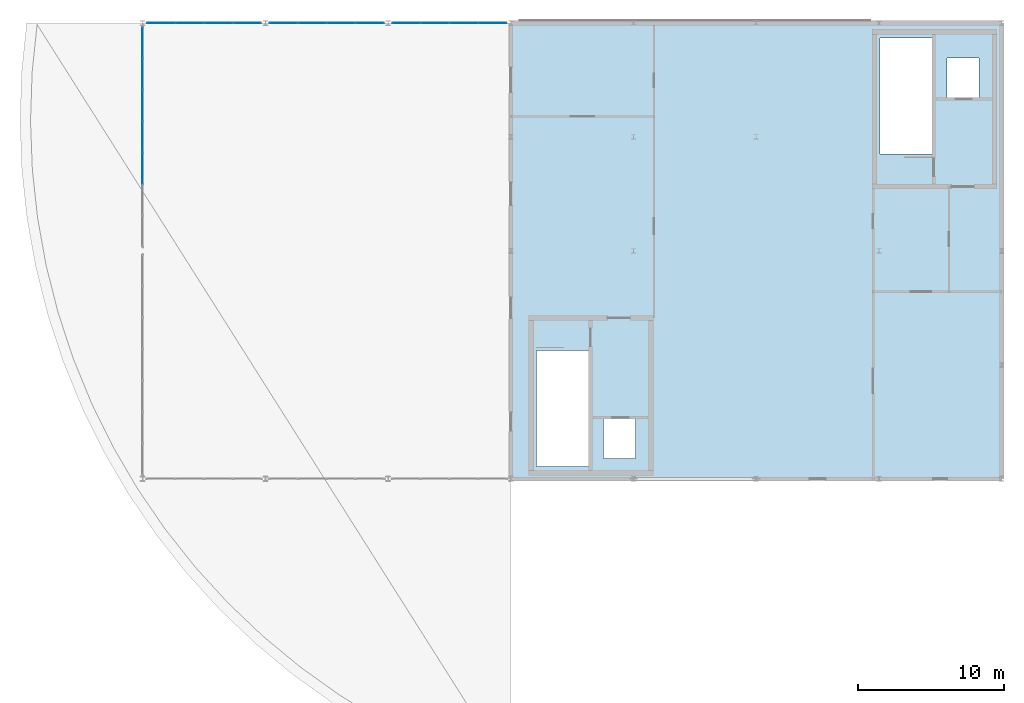
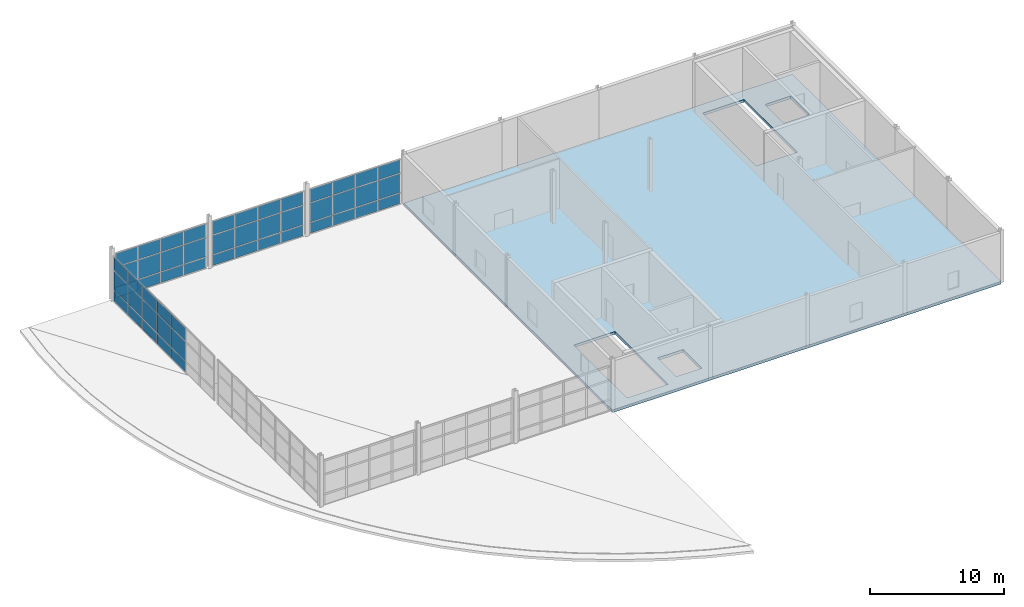
# One storey, part 11 of 14: 51 plates, 1 slab, 4 elements without a shape of their own.
"""IFC4 building model written with IfcOpenShell, lengths in metres."""

from ifc_helpers import new_model, si_unit, direction, frame, origin, origin_2d, place, context, subcontext, project, spatial, polyline, rectangle, outline, extrude, material, layer, layer_set, type_object, element, aggregate, save


model = new_model("IFC4")

# Units and contexts
model_context = context("Model", 3, precision=1e-05, world=origin(), true_north=direction((0.0, 1.0)))
body_context = subcontext(model_context, "Body", "Model", "MODEL_VIEW")
ifc_project = project(units=[si_unit("LENGTHUNIT", "METRE"), si_unit("AREAUNIT", "SQUARE_METRE"), si_unit("VOLUMEUNIT", "CUBIC_METRE"), si_unit("PLANEANGLEUNIT", "RADIAN"), si_unit("MASSUNIT", "GRAM", prefix="KILO")], contexts=[model_context])

# Site, building, storey
site_placement = place(None, origin())
site = spatial("IfcSite", under=ifc_project, at=site_placement, CompositionType="ELEMENT")
building_placement = place(site_placement, origin())
building = spatial("IfcBuilding", under=site, at=building_placement, Name="Selat Folded Stagehouse", CompositionType="ELEMENT")
storey_placement = place(building_placement, frame((0.0, 0.0, 27.60009765625)))
storey = spatial("IfcBuildingStorey", under=building, at=storey_placement, Name="L06", CompositionType="ELEMENT", Elevation=27.60009765625)

# Curtain wall, plates
ifc_material_1 = material(Name="Aluminium 6063-T6", Category="aluminium")
ifc_layer_1 = layer(ifc_material_1, 0.175048828125)
ifc_layer_set_1 = layer_set([ifc_layer_1], Name="Aluminium 6063-T6")
curtain_wall_type = type_object("IfcCurtainWallType", Name="CW-BRG-GLAZ", PredefinedType="NOTDEFINED", material=ifc_layer_set_1)
curtain_wall_1_placement = place(storey_placement, origin())
curtain_wall_1 = element("IfcCurtainWall", 1, at=curtain_wall_1_placement, inside=storey, type_object=curtain_wall_type, Name="L06 curtain wall CW-BRG-27", PredefinedType="NOTDEFINED")
ifc_material_2 = material(Name="Clear laminated double glazing", Category="glass")
ifc_layer_2 = layer(ifc_material_2, 0.028076171875)
ifc_layer_set_2 = layer_set([ifc_layer_2], Name="Clear laminated double glazing")
plate_type = type_object("IfcPlateType", Name="CWP-GLZ-DGU28", PredefinedType="CURTAIN_PANEL", material=ifc_layer_set_2)
plate_1_placement = place(storey_placement, frame((8.39990234375, 44.642822265625, 0.06494140625), z_axis=(0.0, 0.0, 1.0), x_axis=(0.0, 1.0, 0.0)))
plate_1 = element("IfcPlate", 2, at=plate_1_placement, type_object=plate_type, Name="CW-07 panel 3.1", PredefinedType="CURTAIN_PANEL", context=body_context, shape_type="SweptSolid", body=[
    extrude(rectangle(XDim=2.09716796875, YDim=0.028076171875, at=origin_2d()), origin(), (0.0, 0.0, 1.0), 0.952392578125),
])
plate_2_placement = place(storey_placement, frame((8.39990234375, 44.642822265625, 1.08251953125), z_axis=(0.0, 0.0, 1.0), x_axis=(0.0, 1.0, 0.0)))
plate_2 = element("IfcPlate", 3, at=plate_2_placement, type_object=plate_type, Name="CW-07 panel 3.2", PredefinedType="CURTAIN_PANEL", context=body_context, shape_type="SweptSolid", body=[
    extrude(rectangle(XDim=2.09716796875, YDim=0.028076171875, at=origin_2d()), origin(), (0.0, 0.0, 1.0), 1.735107421875),
])
plate_3_placement = place(storey_placement, frame((8.39990234375, 44.642822265625, 2.88232421875), z_axis=(0.0, 0.0, 1.0), x_axis=(0.0, 1.0, 0.0)))
plate_3 = element("IfcPlate", 4, at=plate_3_placement, type_object=plate_type, Name="CW-07 panel 3.3", PredefinedType="CURTAIN_PANEL", context=body_context, shape_type="SweptSolid", body=[
    extrude(rectangle(XDim=2.09716796875, YDim=0.028076171875, at=origin_2d()), origin(), (0.0, 0.0, 1.0), 1.202392578125),
])
plate_4_placement = place(storey_placement, frame((8.39990234375, 46.800048828125, 0.06494140625), z_axis=(0.0, 0.0, 1.0), x_axis=(0.0, 1.0, 0.0)))
plate_4 = element("IfcPlate", 5, at=plate_4_placement, type_object=plate_type, Name="CW-07 panel 4.1", PredefinedType="CURTAIN_PANEL", context=body_context, shape_type="SweptSolid", body=[
    extrude(rectangle(XDim=2.09716796875, YDim=0.028076171875, at=origin_2d()), origin(), (0.0, 0.0, 1.0), 0.952392578125),
])
plate_5_placement = place(storey_placement, frame((8.39990234375, 46.800048828125, 1.08251953125), z_axis=(0.0, 0.0, 1.0), x_axis=(0.0, 1.0, 0.0)))
plate_5 = element("IfcPlate", 6, at=plate_5_placement, type_object=plate_type, Name="CW-07 panel 4.2", PredefinedType="CURTAIN_PANEL", context=body_context, shape_type="SweptSolid", body=[
    extrude(rectangle(XDim=2.09716796875, YDim=0.028076171875, at=origin_2d()), origin(), (0.0, 0.0, 1.0), 1.735107421875),
])
plate_6_placement = place(storey_placement, frame((8.39990234375, 46.800048828125, 2.88232421875), z_axis=(0.0, 0.0, 1.0), x_axis=(0.0, 1.0, 0.0)))
plate_6 = element("IfcPlate", 7, at=plate_6_placement, type_object=plate_type, Name="CW-07 panel 4.3", PredefinedType="CURTAIN_PANEL", context=body_context, shape_type="SweptSolid", body=[
    extrude(rectangle(XDim=2.09716796875, YDim=0.028076171875, at=origin_2d()), origin(), (0.0, 0.0, 1.0), 1.202392578125),
])
plate_7_placement = place(storey_placement, frame((8.39990234375, 48.95703125, 0.06494140625), z_axis=(0.0, 0.0, 1.0), x_axis=(0.0, 1.0, 0.0)))
plate_7 = element("IfcPlate", 8, at=plate_7_placement, type_object=plate_type, Name="CW-07 panel 5.1", PredefinedType="CURTAIN_PANEL", context=body_context, shape_type="SweptSolid", body=[
    extrude(rectangle(XDim=2.09716796875, YDim=0.028076171875, at=origin_2d()), origin(), (0.0, 0.0, 1.0), 0.952392578125),
])
plate_8_placement = place(storey_placement, frame((8.39990234375, 48.95703125, 1.08251953125), z_axis=(0.0, 0.0, 1.0), x_axis=(0.0, 1.0, 0.0)))
plate_8 = element("IfcPlate", 9, at=plate_8_placement, type_object=plate_type, Name="CW-07 panel 5.2", PredefinedType="CURTAIN_PANEL", context=body_context, shape_type="SweptSolid", body=[
    extrude(rectangle(XDim=2.09716796875, YDim=0.028076171875, at=origin_2d()), origin(), (0.0, 0.0, 1.0), 1.735107421875),
])
plate_9_placement = place(storey_placement, frame((8.39990234375, 48.95703125, 2.88232421875), z_axis=(0.0, 0.0, 1.0), x_axis=(0.0, 1.0, 0.0)))
plate_9 = element("IfcPlate", 10, at=plate_9_placement, type_object=plate_type, Name="CW-07 panel 5.3", PredefinedType="CURTAIN_PANEL", context=body_context, shape_type="SweptSolid", body=[
    extrude(rectangle(XDim=2.09716796875, YDim=0.028076171875, at=origin_2d()), origin(), (0.0, 0.0, 1.0), 1.202392578125),
])
plate_10_placement = place(storey_placement, frame((8.39990234375, 51.1142578125, 0.06494140625), z_axis=(0.0, 0.0, 1.0), x_axis=(0.0, 1.0, 0.0)))
plate_10 = element("IfcPlate", 11, at=plate_10_placement, type_object=plate_type, Name="CW-07 panel 6.1", PredefinedType="CURTAIN_PANEL", context=body_context, shape_type="SweptSolid", body=[
    extrude(rectangle(XDim=2.09716796875, YDim=0.028076171875, at=origin_2d()), origin(), (0.0, 0.0, 1.0), 0.952392578125),
])
plate_11_placement = place(storey_placement, frame((8.39990234375, 51.1142578125, 1.08251953125), z_axis=(0.0, 0.0, 1.0), x_axis=(0.0, 1.0, 0.0)))
plate_11 = element("IfcPlate", 12, at=plate_11_placement, type_object=plate_type, Name="CW-07 panel 6.2", PredefinedType="CURTAIN_PANEL", context=body_context, shape_type="SweptSolid", body=[
    extrude(rectangle(XDim=2.09716796875, YDim=0.028076171875, at=origin_2d()), origin(), (0.0, 0.0, 1.0), 1.735107421875),
])
plate_12_placement = place(storey_placement, frame((8.39990234375, 51.1142578125, 2.88232421875), z_axis=(0.0, 0.0, 1.0), x_axis=(0.0, 1.0, 0.0)))
plate_12 = element("IfcPlate", 13, at=plate_12_placement, type_object=plate_type, Name="CW-07 panel 6.3", PredefinedType="CURTAIN_PANEL", context=body_context, shape_type="SweptSolid", body=[
    extrude(rectangle(XDim=2.09716796875, YDim=0.028076171875, at=origin_2d()), origin(), (0.0, 0.0, 1.0), 1.202392578125),
])
plate_13_placement = place(storey_placement, frame((8.39990234375, 53.25634765625, 0.06494140625), z_axis=(0.0, 0.0, 1.0), x_axis=(0.0, 1.0, 0.0)))
plate_13 = element("IfcPlate", 14, at=plate_13_placement, type_object=plate_type, Name="CW-07 panel 7.1", PredefinedType="CURTAIN_PANEL", context=body_context, shape_type="SweptSolid", body=[
    extrude(rectangle(XDim=2.067138671875, YDim=0.028076171875, at=origin_2d()), origin(), (0.0, 0.0, 1.0), 0.952392578125),
])
plate_14_placement = place(storey_placement, frame((8.39990234375, 53.25634765625, 1.08251953125), z_axis=(0.0, 0.0, 1.0), x_axis=(0.0, 1.0, 0.0)))
plate_14 = element("IfcPlate", 15, at=plate_14_placement, type_object=plate_type, Name="CW-07 panel 7.2", PredefinedType="CURTAIN_PANEL", context=body_context, shape_type="SweptSolid", body=[
    extrude(rectangle(XDim=2.067138671875, YDim=0.028076171875, at=origin_2d()), origin(), (0.0, 0.0, 1.0), 1.735107421875),
])
plate_15_placement = place(storey_placement, frame((8.39990234375, 53.25634765625, 2.88232421875), z_axis=(0.0, 0.0, 1.0), x_axis=(0.0, 1.0, 0.0)))
plate_15 = element("IfcPlate", 16, at=plate_15_placement, type_object=plate_type, Name="CW-07 panel 7.3", PredefinedType="CURTAIN_PANEL", context=body_context, shape_type="SweptSolid", body=[
    extrude(rectangle(XDim=2.067138671875, YDim=0.028076171875, at=origin_2d()), origin(), (0.0, 0.0, 1.0), 1.202392578125),
])
aggregate(curtain_wall_1, [plate_1, plate_2, plate_3, plate_4, plate_5, plate_6, plate_7, plate_8, plate_9, plate_10, plate_11, plate_12, plate_13, plate_14, plate_15])

curtain_wall_2_placement = place(storey_placement, origin())
curtain_wall_2 = element("IfcCurtainWall", 17, at=curtain_wall_2_placement, inside=storey, type_object=curtain_wall_type, Name="L06 curtain wall CW-BRG-28", PredefinedType="NOTDEFINED")
plate_16_placement = place(storey_placement, frame((9.652587890625, 54.60009765625, 0.06494140625), z_axis=(0.0, 0.0, 1.0), x_axis=(1.0, 0.0, 0.0)))
plate_16 = element("IfcPlate", 18, at=plate_16_placement, type_object=plate_type, Name="CW-07 panel 1.1", PredefinedType="CURTAIN_PANEL", context=body_context, shape_type="SweptSolid", body=[
    extrude(rectangle(XDim=1.885009765625, YDim=0.028076171875, at=origin_2d()), origin(), (0.0, 0.0, 1.0), 0.952392578125),
])
plate_17_placement = place(storey_placement, frame((9.652587890625, 54.60009765625, 1.08251953125), z_axis=(0.0, 0.0, 1.0), x_axis=(1.0, 0.0, 0.0)))
plate_17 = element("IfcPlate", 19, at=plate_17_placement, type_object=plate_type, Name="CW-07 panel 1.2", PredefinedType="CURTAIN_PANEL", context=body_context, shape_type="SweptSolid", body=[
    extrude(rectangle(XDim=1.885009765625, YDim=0.028076171875, at=origin_2d()), origin(), (0.0, 0.0, 1.0), 1.735107421875),
])
plate_18_placement = place(storey_placement, frame((9.652587890625, 54.60009765625, 2.88232421875), z_axis=(0.0, 0.0, 1.0), x_axis=(1.0, 0.0, 0.0)))
plate_18 = element("IfcPlate", 20, at=plate_18_placement, type_object=plate_type, Name="CW-07 panel 1.3", PredefinedType="CURTAIN_PANEL", context=body_context, shape_type="SweptSolid", body=[
    extrude(rectangle(XDim=1.885009765625, YDim=0.028076171875, at=origin_2d()), origin(), (0.0, 0.0, 1.0), 1.202392578125),
])
plate_19_placement = place(storey_placement, frame((11.612548828125, 54.60009765625, 0.06494140625), z_axis=(0.0, 0.0, 1.0), x_axis=(1.0, 0.0, 0.0)))
plate_19 = element("IfcPlate", 21, at=plate_19_placement, type_object=plate_type, Name="CW-07 panel 2.1", PredefinedType="CURTAIN_PANEL", context=body_context, shape_type="SweptSolid", body=[
    extrude(rectangle(XDim=1.9150390625, YDim=0.028076171875, at=origin_2d()), origin(), (0.0, 0.0, 1.0), 0.952392578125),
])
plate_20_placement = place(storey_placement, frame((11.612548828125, 54.60009765625, 1.08251953125), z_axis=(0.0, 0.0, 1.0), x_axis=(1.0, 0.0, 0.0)))
plate_20 = element("IfcPlate", 22, at=plate_20_placement, type_object=plate_type, Name="CW-07 panel 2.2", PredefinedType="CURTAIN_PANEL", context=body_context, shape_type="SweptSolid", body=[
    extrude(rectangle(XDim=1.9150390625, YDim=0.028076171875, at=origin_2d()), origin(), (0.0, 0.0, 1.0), 1.735107421875),
])
plate_21_placement = place(storey_placement, frame((11.612548828125, 54.60009765625, 2.88232421875), z_axis=(0.0, 0.0, 1.0), x_axis=(1.0, 0.0, 0.0)))
plate_21 = element("IfcPlate", 23, at=plate_21_placement, type_object=plate_type, Name="CW-07 panel 2.3", PredefinedType="CURTAIN_PANEL", context=body_context, shape_type="SweptSolid", body=[
    extrude(rectangle(XDim=1.9150390625, YDim=0.028076171875, at=origin_2d()), origin(), (0.0, 0.0, 1.0), 1.202392578125),
])
plate_22_placement = place(storey_placement, frame((13.58740234375, 54.60009765625, 0.06494140625), z_axis=(0.0, 0.0, 1.0), x_axis=(1.0, 0.0, 0.0)))
plate_22 = element("IfcPlate", 24, at=plate_22_placement, type_object=plate_type, Name="CW-07 panel 3.1", PredefinedType="CURTAIN_PANEL", context=body_context, shape_type="SweptSolid", body=[
    extrude(rectangle(XDim=1.9150390625, YDim=0.028076171875, at=origin_2d()), origin(), (0.0, 0.0, 1.0), 0.952392578125),
])
plate_23_placement = place(storey_placement, frame((13.58740234375, 54.60009765625, 1.08251953125), z_axis=(0.0, 0.0, 1.0), x_axis=(1.0, 0.0, 0.0)))
plate_23 = element("IfcPlate", 25, at=plate_23_placement, type_object=plate_type, Name="CW-07 panel 3.2", PredefinedType="CURTAIN_PANEL", context=body_context, shape_type="SweptSolid", body=[
    extrude(rectangle(XDim=1.9150390625, YDim=0.028076171875, at=origin_2d()), origin(), (0.0, 0.0, 1.0), 1.735107421875),
])
plate_24_placement = place(storey_placement, frame((13.58740234375, 54.60009765625, 2.88232421875), z_axis=(0.0, 0.0, 1.0), x_axis=(1.0, 0.0, 0.0)))
plate_24 = element("IfcPlate", 26, at=plate_24_placement, type_object=plate_type, Name="CW-07 panel 3.3", PredefinedType="CURTAIN_PANEL", context=body_context, shape_type="SweptSolid", body=[
    extrude(rectangle(XDim=1.9150390625, YDim=0.028076171875, at=origin_2d()), origin(), (0.0, 0.0, 1.0), 1.202392578125),
])
plate_25_placement = place(storey_placement, frame((15.547607421875, 54.60009765625, 0.06494140625), z_axis=(0.0, 0.0, 1.0), x_axis=(1.0, 0.0, 0.0)))
plate_25 = element("IfcPlate", 27, at=plate_25_placement, type_object=plate_type, Name="CW-07 panel 4.1", PredefinedType="CURTAIN_PANEL", context=body_context, shape_type="SweptSolid", body=[
    extrude(rectangle(XDim=1.885009765625, YDim=0.028076171875, at=origin_2d()), origin(), (0.0, 0.0, 1.0), 0.952392578125),
])
plate_26_placement = place(storey_placement, frame((15.547607421875, 54.60009765625, 1.08251953125), z_axis=(0.0, 0.0, 1.0), x_axis=(1.0, 0.0, 0.0)))
plate_26 = element("IfcPlate", 28, at=plate_26_placement, type_object=plate_type, Name="CW-07 panel 4.2", PredefinedType="CURTAIN_PANEL", context=body_context, shape_type="SweptSolid", body=[
    extrude(rectangle(XDim=1.885009765625, YDim=0.028076171875, at=origin_2d()), origin(), (0.0, 0.0, 1.0), 1.735107421875),
])
plate_27_placement = place(storey_placement, frame((15.547607421875, 54.60009765625, 2.88232421875), z_axis=(0.0, 0.0, 1.0), x_axis=(1.0, 0.0, 0.0)))
plate_27 = element("IfcPlate", 29, at=plate_27_placement, type_object=plate_type, Name="CW-07 panel 4.3", PredefinedType="CURTAIN_PANEL", context=body_context, shape_type="SweptSolid", body=[
    extrude(rectangle(XDim=1.885009765625, YDim=0.028076171875, at=origin_2d()), origin(), (0.0, 0.0, 1.0), 1.202392578125),
])
aggregate(curtain_wall_2, [plate_16, plate_17, plate_18, plate_19, plate_20, plate_21, plate_22, plate_23, plate_24, plate_25, plate_26, plate_27])

curtain_wall_3_placement = place(storey_placement, origin())
curtain_wall_3 = element("IfcCurtainWall", 30, at=curtain_wall_3_placement, inside=storey, type_object=curtain_wall_type, Name="L06 curtain wall CW-BRG-29", PredefinedType="NOTDEFINED")
plate_28_placement = place(storey_placement, frame((18.052490234375, 54.60009765625, 0.06494140625), z_axis=(0.0, 0.0, 1.0), x_axis=(1.0, 0.0, 0.0)))
plate_28 = element("IfcPlate", 31, at=plate_28_placement, type_object=plate_type, Name="CW-07 panel 1.1", PredefinedType="CURTAIN_PANEL", context=body_context, shape_type="SweptSolid", body=[
    extrude(rectangle(XDim=1.885009765625, YDim=0.028076171875, at=origin_2d()), origin(), (0.0, 0.0, 1.0), 0.952392578125),
])
plate_29_placement = place(storey_placement, frame((18.052490234375, 54.60009765625, 1.08251953125), z_axis=(0.0, 0.0, 1.0), x_axis=(1.0, 0.0, 0.0)))
plate_29 = element("IfcPlate", 32, at=plate_29_placement, type_object=plate_type, Name="CW-07 panel 1.2", PredefinedType="CURTAIN_PANEL", context=body_context, shape_type="SweptSolid", body=[
    extrude(rectangle(XDim=1.885009765625, YDim=0.028076171875, at=origin_2d()), origin(), (0.0, 0.0, 1.0), 1.735107421875),
])
plate_30_placement = place(storey_placement, frame((18.052490234375, 54.60009765625, 2.88232421875), z_axis=(0.0, 0.0, 1.0), x_axis=(1.0, 0.0, 0.0)))
plate_30 = element("IfcPlate", 33, at=plate_30_placement, type_object=plate_type, Name="CW-07 panel 1.3", PredefinedType="CURTAIN_PANEL", context=body_context, shape_type="SweptSolid", body=[
    extrude(rectangle(XDim=1.885009765625, YDim=0.028076171875, at=origin_2d()), origin(), (0.0, 0.0, 1.0), 1.202392578125),
])
plate_31_placement = place(storey_placement, frame((20.012451171875, 54.60009765625, 0.06494140625), z_axis=(0.0, 0.0, 1.0), x_axis=(1.0, 0.0, 0.0)))
plate_31 = element("IfcPlate", 34, at=plate_31_placement, type_object=plate_type, Name="CW-07 panel 2.1", PredefinedType="CURTAIN_PANEL", context=body_context, shape_type="SweptSolid", body=[
    extrude(rectangle(XDim=1.9150390625, YDim=0.028076171875, at=origin_2d()), origin(), (0.0, 0.0, 1.0), 0.952392578125),
])
plate_32_placement = place(storey_placement, frame((20.012451171875, 54.60009765625, 1.08251953125), z_axis=(0.0, 0.0, 1.0), x_axis=(1.0, 0.0, 0.0)))
plate_32 = element("IfcPlate", 35, at=plate_32_placement, type_object=plate_type, Name="CW-07 panel 2.2", PredefinedType="CURTAIN_PANEL", context=body_context, shape_type="SweptSolid", body=[
    extrude(rectangle(XDim=1.9150390625, YDim=0.028076171875, at=origin_2d()), origin(), (0.0, 0.0, 1.0), 1.735107421875),
])
plate_33_placement = place(storey_placement, frame((20.012451171875, 54.60009765625, 2.88232421875), z_axis=(0.0, 0.0, 1.0), x_axis=(1.0, 0.0, 0.0)))
plate_33 = element("IfcPlate", 36, at=plate_33_placement, type_object=plate_type, Name="CW-07 panel 2.3", PredefinedType="CURTAIN_PANEL", context=body_context, shape_type="SweptSolid", body=[
    extrude(rectangle(XDim=1.9150390625, YDim=0.028076171875, at=origin_2d()), origin(), (0.0, 0.0, 1.0), 1.202392578125),
])
plate_34_placement = place(storey_placement, frame((21.987548828125, 54.60009765625, 0.06494140625), z_axis=(0.0, 0.0, 1.0), x_axis=(1.0, 0.0, 0.0)))
plate_34 = element("IfcPlate", 37, at=plate_34_placement, type_object=plate_type, Name="CW-07 panel 3.1", PredefinedType="CURTAIN_PANEL", context=body_context, shape_type="SweptSolid", body=[
    extrude(rectangle(XDim=1.9150390625, YDim=0.028076171875, at=origin_2d()), origin(), (0.0, 0.0, 1.0), 0.952392578125),
])
plate_35_placement = place(storey_placement, frame((21.987548828125, 54.60009765625, 1.08251953125), z_axis=(0.0, 0.0, 1.0), x_axis=(1.0, 0.0, 0.0)))
plate_35 = element("IfcPlate", 38, at=plate_35_placement, type_object=plate_type, Name="CW-07 panel 3.2", PredefinedType="CURTAIN_PANEL", context=body_context, shape_type="SweptSolid", body=[
    extrude(rectangle(XDim=1.9150390625, YDim=0.028076171875, at=origin_2d()), origin(), (0.0, 0.0, 1.0), 1.735107421875),
])
plate_36_placement = place(storey_placement, frame((21.987548828125, 54.60009765625, 2.88232421875), z_axis=(0.0, 0.0, 1.0), x_axis=(1.0, 0.0, 0.0)))
plate_36 = element("IfcPlate", 39, at=plate_36_placement, type_object=plate_type, Name="CW-07 panel 3.3", PredefinedType="CURTAIN_PANEL", context=body_context, shape_type="SweptSolid", body=[
    extrude(rectangle(XDim=1.9150390625, YDim=0.028076171875, at=origin_2d()), origin(), (0.0, 0.0, 1.0), 1.202392578125),
])
plate_37_placement = place(storey_placement, frame((23.947509765625, 54.60009765625, 0.06494140625), z_axis=(0.0, 0.0, 1.0), x_axis=(1.0, 0.0, 0.0)))
plate_37 = element("IfcPlate", 40, at=plate_37_placement, type_object=plate_type, Name="CW-07 panel 4.1", PredefinedType="CURTAIN_PANEL", context=body_context, shape_type="SweptSolid", body=[
    extrude(rectangle(XDim=1.885009765625, YDim=0.028076171875, at=origin_2d()), origin(), (0.0, 0.0, 1.0), 0.952392578125),
])
plate_38_placement = place(storey_placement, frame((23.947509765625, 54.60009765625, 1.08251953125), z_axis=(0.0, 0.0, 1.0), x_axis=(1.0, 0.0, 0.0)))
plate_38 = element("IfcPlate", 41, at=plate_38_placement, type_object=plate_type, Name="CW-07 panel 4.2", PredefinedType="CURTAIN_PANEL", context=body_context, shape_type="SweptSolid", body=[
    extrude(rectangle(XDim=1.885009765625, YDim=0.028076171875, at=origin_2d()), origin(), (0.0, 0.0, 1.0), 1.735107421875),
])
plate_39_placement = place(storey_placement, frame((23.947509765625, 54.60009765625, 2.88232421875), z_axis=(0.0, 0.0, 1.0), x_axis=(1.0, 0.0, 0.0)))
plate_39 = element("IfcPlate", 42, at=plate_39_placement, type_object=plate_type, Name="CW-07 panel 4.3", PredefinedType="CURTAIN_PANEL", context=body_context, shape_type="SweptSolid", body=[
    extrude(rectangle(XDim=1.885009765625, YDim=0.028076171875, at=origin_2d()), origin(), (0.0, 0.0, 1.0), 1.202392578125),
])
aggregate(curtain_wall_3, [plate_28, plate_29, plate_30, plate_31, plate_32, plate_33, plate_34, plate_35, plate_36, plate_37, plate_38, plate_39])

curtain_wall_4_placement = place(storey_placement, origin())
curtain_wall_4 = element("IfcCurtainWall", 43, at=curtain_wall_4_placement, inside=storey, type_object=curtain_wall_type, Name="L06 curtain wall CW-BRG-30", PredefinedType="NOTDEFINED")
plate_40_placement = place(storey_placement, frame((26.452392578125, 54.60009765625, 0.06494140625), z_axis=(0.0, 0.0, 1.0), x_axis=(1.0, 0.0, 0.0)))
plate_40 = element("IfcPlate", 44, at=plate_40_placement, type_object=plate_type, Name="CW-07 panel 1.1", PredefinedType="CURTAIN_PANEL", context=body_context, shape_type="SweptSolid", body=[
    extrude(rectangle(XDim=1.885009765625, YDim=0.028076171875, at=origin_2d()), origin(), (0.0, 0.0, 1.0), 0.952392578125),
])
plate_41_placement = place(storey_placement, frame((26.452392578125, 54.60009765625, 1.08251953125), z_axis=(0.0, 0.0, 1.0), x_axis=(1.0, 0.0, 0.0)))
plate_41 = element("IfcPlate", 45, at=plate_41_placement, type_object=plate_type, Name="CW-07 panel 1.2", PredefinedType="CURTAIN_PANEL", context=body_context, shape_type="SweptSolid", body=[
    extrude(rectangle(XDim=1.885009765625, YDim=0.028076171875, at=origin_2d()), origin(), (0.0, 0.0, 1.0), 1.735107421875),
])
plate_42_placement = place(storey_placement, frame((26.452392578125, 54.60009765625, 2.88232421875), z_axis=(0.0, 0.0, 1.0), x_axis=(1.0, 0.0, 0.0)))
plate_42 = element("IfcPlate", 46, at=plate_42_placement, type_object=plate_type, Name="CW-07 panel 1.3", PredefinedType="CURTAIN_PANEL", context=body_context, shape_type="SweptSolid", body=[
    extrude(rectangle(XDim=1.885009765625, YDim=0.028076171875, at=origin_2d()), origin(), (0.0, 0.0, 1.0), 1.202392578125),
])
plate_43_placement = place(storey_placement, frame((28.41259765625, 54.60009765625, 0.06494140625), z_axis=(0.0, 0.0, 1.0), x_axis=(1.0, 0.0, 0.0)))
plate_43 = element("IfcPlate", 47, at=plate_43_placement, type_object=plate_type, Name="CW-07 panel 2.1", PredefinedType="CURTAIN_PANEL", context=body_context, shape_type="SweptSolid", body=[
    extrude(rectangle(XDim=1.9150390625, YDim=0.028076171875, at=origin_2d()), origin(), (0.0, 0.0, 1.0), 0.952392578125),
])
plate_44_placement = place(storey_placement, frame((28.41259765625, 54.60009765625, 1.08251953125), z_axis=(0.0, 0.0, 1.0), x_axis=(1.0, 0.0, 0.0)))
plate_44 = element("IfcPlate", 48, at=plate_44_placement, type_object=plate_type, Name="CW-07 panel 2.2", PredefinedType="CURTAIN_PANEL", context=body_context, shape_type="SweptSolid", body=[
    extrude(rectangle(XDim=1.9150390625, YDim=0.028076171875, at=origin_2d()), origin(), (0.0, 0.0, 1.0), 1.735107421875),
])
plate_45_placement = place(storey_placement, frame((28.41259765625, 54.60009765625, 2.88232421875), z_axis=(0.0, 0.0, 1.0), x_axis=(1.0, 0.0, 0.0)))
plate_45 = element("IfcPlate", 49, at=plate_45_placement, type_object=plate_type, Name="CW-07 panel 2.3", PredefinedType="CURTAIN_PANEL", context=body_context, shape_type="SweptSolid", body=[
    extrude(rectangle(XDim=1.9150390625, YDim=0.028076171875, at=origin_2d()), origin(), (0.0, 0.0, 1.0), 1.202392578125),
])
plate_46_placement = place(storey_placement, frame((30.387451171875, 54.60009765625, 0.06494140625), z_axis=(0.0, 0.0, 1.0), x_axis=(1.0, 0.0, 0.0)))
plate_46 = element("IfcPlate", 50, at=plate_46_placement, type_object=plate_type, Name="CW-07 panel 3.1", PredefinedType="CURTAIN_PANEL", context=body_context, shape_type="SweptSolid", body=[
    extrude(rectangle(XDim=1.9150390625, YDim=0.028076171875, at=origin_2d()), origin(), (0.0, 0.0, 1.0), 0.952392578125),
])
plate_47_placement = place(storey_placement, frame((30.387451171875, 54.60009765625, 1.08251953125), z_axis=(0.0, 0.0, 1.0), x_axis=(1.0, 0.0, 0.0)))
plate_47 = element("IfcPlate", 51, at=plate_47_placement, type_object=plate_type, Name="CW-07 panel 3.2", PredefinedType="CURTAIN_PANEL", context=body_context, shape_type="SweptSolid", body=[
    extrude(rectangle(XDim=1.9150390625, YDim=0.028076171875, at=origin_2d()), origin(), (0.0, 0.0, 1.0), 1.735107421875),
])
plate_48_placement = place(storey_placement, frame((30.387451171875, 54.60009765625, 2.88232421875), z_axis=(0.0, 0.0, 1.0), x_axis=(1.0, 0.0, 0.0)))
plate_48 = element("IfcPlate", 52, at=plate_48_placement, type_object=plate_type, Name="CW-07 panel 3.3", PredefinedType="CURTAIN_PANEL", context=body_context, shape_type="SweptSolid", body=[
    extrude(rectangle(XDim=1.9150390625, YDim=0.028076171875, at=origin_2d()), origin(), (0.0, 0.0, 1.0), 1.202392578125),
])
plate_49_placement = place(storey_placement, frame((32.347412109375, 54.60009765625, 0.06494140625), z_axis=(0.0, 0.0, 1.0), x_axis=(1.0, 0.0, 0.0)))
plate_49 = element("IfcPlate", 53, at=plate_49_placement, type_object=plate_type, Name="CW-07 panel 4.1", PredefinedType="CURTAIN_PANEL", context=body_context, shape_type="SweptSolid", body=[
    extrude(rectangle(XDim=1.885009765625, YDim=0.028076171875, at=origin_2d()), origin(), (0.0, 0.0, 1.0), 0.952392578125),
])
plate_50_placement = place(storey_placement, frame((32.347412109375, 54.60009765625, 1.08251953125), z_axis=(0.0, 0.0, 1.0), x_axis=(1.0, 0.0, 0.0)))
plate_50 = element("IfcPlate", 54, at=plate_50_placement, type_object=plate_type, Name="CW-07 panel 4.2", PredefinedType="CURTAIN_PANEL", context=body_context, shape_type="SweptSolid", body=[
    extrude(rectangle(XDim=1.885009765625, YDim=0.028076171875, at=origin_2d()), origin(), (0.0, 0.0, 1.0), 1.735107421875),
])
plate_51_placement = place(storey_placement, frame((32.347412109375, 54.60009765625, 2.88232421875), z_axis=(0.0, 0.0, 1.0), x_axis=(1.0, 0.0, 0.0)))
plate_51 = element("IfcPlate", 55, at=plate_51_placement, type_object=plate_type, Name="CW-07 panel 4.3", PredefinedType="CURTAIN_PANEL", context=body_context, shape_type="SweptSolid", body=[
    extrude(rectangle(XDim=1.885009765625, YDim=0.028076171875, at=origin_2d()), origin(), (0.0, 0.0, 1.0), 1.202392578125),
])
aggregate(curtain_wall_4, [plate_40, plate_41, plate_42, plate_43, plate_44, plate_45, plate_46, plate_47, plate_48, plate_49, plate_50, plate_51])

# Slab
ifc_material_3 = material(Name="Concrete C40/50", Category="concrete")
ifc_layer_3 = layer(ifc_material_3, 0.2451171875)
ifc_layer_set_3 = layer_set([ifc_layer_3], Name="Concrete C40/50")
slab_type = type_object("IfcSlabType", Name="SLAB-FLR-240-GRIDIRON", PredefinedType="FLOOR", material=ifc_layer_set_3)
slab_placement = place(storey_placement, frame((0.0, 0.0, -0.2451171875)))
element("IfcSlab", 56, at=slab_placement, inside=storey, type_object=slab_type, Name="L06 V2 floor slab SL-L06-V2", PredefinedType="FLOOR", context=body_context, shape_type="SweptSolid", body=[
    extrude(outline(polyline([(33.60009765625, 23.39990234375), (67.199951171875, 23.39990234375), (67.199951171875, 54.60009765625), (33.60009765625, 54.60009765625), (33.60009765625, 23.39990234375)]), holes=[polyline([(39.949951171875, 24.800048828125), (39.949951171875, 27.60009765625), (42.14990234375, 27.60009765625), (42.14990234375, 24.800048828125), (39.949951171875, 24.800048828125)]), polyline([(35.360107421875, 24.239990234375), (35.360107421875, 32.179931640625), (38.919921875, 32.179931640625), (38.919921875, 24.239990234375), (35.360107421875, 24.239990234375)]), polyline([(58.860107421875, 45.6201171875), (58.860107421875, 53.56005859375), (62.419921875, 53.56005859375), (62.419921875, 45.6201171875), (58.860107421875, 45.6201171875)]), polyline([(63.449951171875, 49.39990234375), (63.449951171875, 52.199951171875), (65.64990234375, 52.199951171875), (65.64990234375, 49.39990234375), (63.449951171875, 49.39990234375)])]), origin(), (0.0, 0.0, 1.0), 0.2451171875),
])

save(model, "model.ifc")
